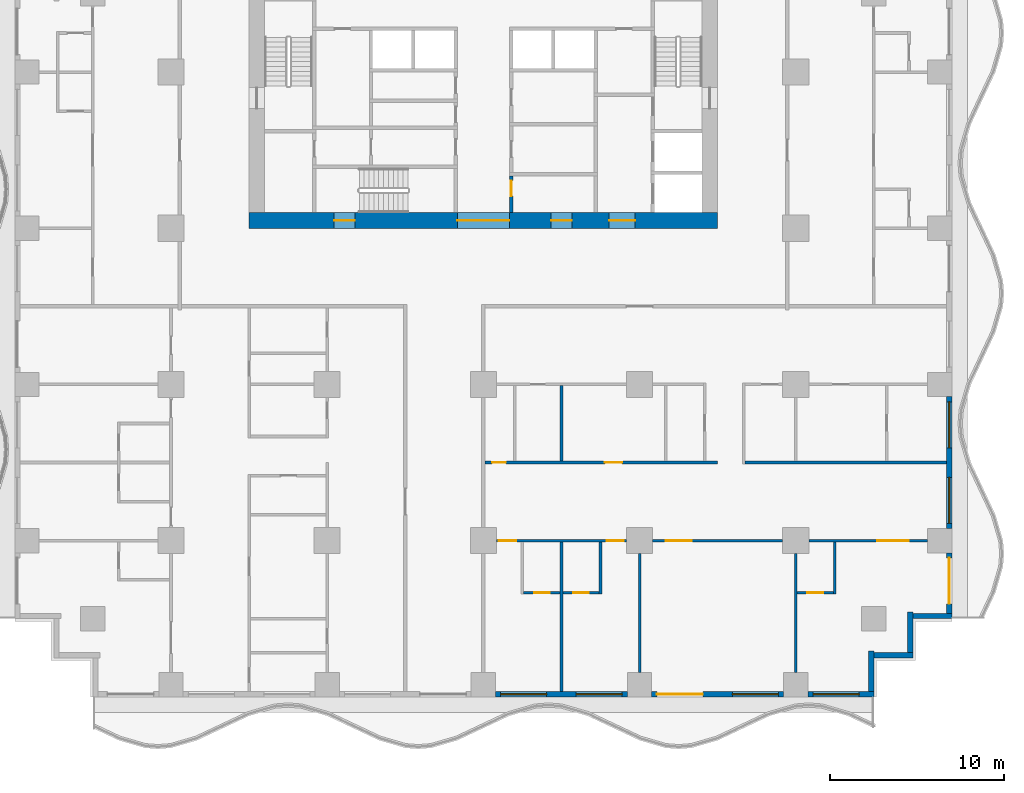
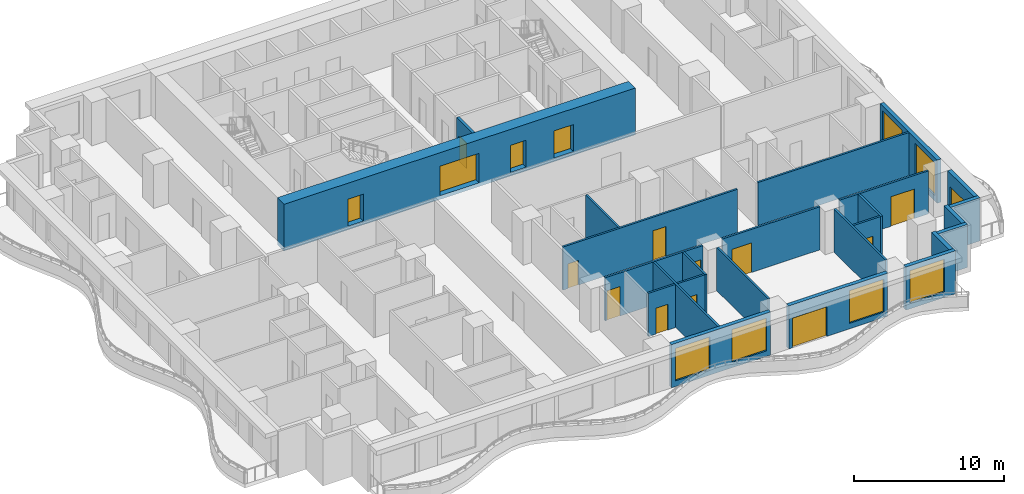
# One storey, part 3 of 14: 25 walls, 16 doors, 6 windows, 22 openings.
"""IFC4 building model written with IfcOpenShell, lengths in metres."""

from ifc_helpers import new_model, si_unit, direction, frame, frame_2d, origin, place, context, subcontext, project, spatial, rectangle, extrude, material, layer, layer_set, type_object, element, fill, save


model = new_model("IFC4")

# Units and contexts
model_context = context("Model", 3, precision=1e-05, world=origin(), true_north=direction((0.0, 1.0)))
body_context = subcontext(model_context, "Body", "Model", "MODEL_VIEW")
ifc_project = project(units=[si_unit("LENGTHUNIT", "METRE"), si_unit("AREAUNIT", "SQUARE_METRE"), si_unit("VOLUMEUNIT", "CUBIC_METRE"), si_unit("PLANEANGLEUNIT", "RADIAN"), si_unit("MASSUNIT", "GRAM", prefix="KILO")], contexts=[model_context])

# Site, building, storey
site_placement = place(None, origin())
site = spatial("IfcSite", under=ifc_project, at=site_placement, CompositionType="ELEMENT")
building_placement = place(site_placement, origin())
building = spatial("IfcBuilding", under=site, at=building_placement, Name="Orbiselva Terraces", CompositionType="ELEMENT")
storey_placement = place(building_placement, frame((0.0, 0.0, 45.4)))
storey = spatial("IfcBuildingStorey", under=building, at=storey_placement, Name="L11", CompositionType="ELEMENT", Elevation=45.4)

# Wall, openings, doors
ifc_material_1 = material(Name="Concrete C80/95", Category="concrete")
ifc_layer_1 = layer(ifc_material_1, 0.9)
ifc_layer_set_1 = layer_set([ifc_layer_1], Name="Concrete C80/95")
wall_type_1 = type_object("IfcWallType", Name="CORE WALL 900", PredefinedType="SHEAR", material=ifc_layer_set_1)
wall_1_placement = place(storey_placement, frame((-13.5, 4.95, -0.3), z_axis=(0.0, 0.0, 1.0), x_axis=(1.0, 0.0, 0.0)))
wall_1 = element("IfcWall", 1, at=wall_1_placement, inside=storey, type_object=wall_type_1, Name="Core wall L11 south", PredefinedType="SHEAR", context=body_context, shape_type="SweptSolid", body=[
    extrude(rectangle(XDim=27.0, YDim=0.9, at=frame_2d((13.5, 0.0))), origin(), (0.0, 0.0, 1.0), 3.8),
])
opening_1_placement = place(wall_1_placement, frame((12.0, 0.0, 0.3)))
opening_1 = element("IfcOpeningElement", 2, at=opening_1_placement, cuts=wall_1, Name="Opening DL3000", PredefinedType="OPENING", context=body_context, shape_type="SweptSolid", body=[
    extrude(rectangle(XDim=3.0, YDim=2.4, at=frame_2d((1.5, 1.2))), frame((0.0, 0.46, 0.0), z_axis=(0.0, -1.0, 0.0), x_axis=(1.0, 0.0, 0.0)), (0.0, 0.0, 1.0), 0.92),
])
opening_2_placement = place(wall_1_placement, frame((4.9, 0.0, 0.3)))
opening_2 = element("IfcOpeningElement", 3, at=opening_2_placement, cuts=wall_1, Name="Opening DS1200", PredefinedType="OPENING", context=body_context, shape_type="SweptSolid", body=[
    extrude(rectangle(XDim=1.2, YDim=2.2, at=frame_2d((0.6, 1.1))), frame((0.0, 0.46, 0.0), z_axis=(0.0, -1.0, 0.0), x_axis=(1.0, 0.0, 0.0)), (0.0, 0.0, 1.0), 0.92),
])
opening_3_placement = place(wall_1_placement, frame((20.75, 0.0, 0.3)))
opening_3 = element("IfcOpeningElement", 4, at=opening_3_placement, cuts=wall_1, Name="Opening DF1500", PredefinedType="OPENING", context=body_context, shape_type="SweptSolid", body=[
    extrude(rectangle(XDim=1.5, YDim=2.2, at=frame_2d((0.75, 1.1))), frame((0.0, 0.46, 0.0), z_axis=(0.0, -1.0, 0.0), x_axis=(1.0, 0.0, 0.0)), (0.0, 0.0, 1.0), 0.92),
])
opening_4_placement = place(wall_1_placement, frame((17.4, 0.0, 0.3)))
opening_4 = element("IfcOpeningElement", 5, at=opening_4_placement, cuts=wall_1, Name="Opening DV1200", PredefinedType="OPENING", context=body_context, shape_type="SweptSolid", body=[
    extrude(rectangle(XDim=1.2, YDim=2.2, at=frame_2d((0.6, 1.1))), frame((0.0, 0.46, 0.0), z_axis=(0.0, -1.0, 0.0), x_axis=(1.0, 0.0, 0.0)), (0.0, 0.0, 1.0), 0.92),
])
ifc_material_2 = material(Name="Steel fire door", Category="steel")
door_type_1 = type_object("IfcDoorType", Name="FFL DOOR 1500", OperationType="DOUBLE_DOOR_SINGLE_SWING", PredefinedType="DOOR", material=ifc_material_2)
door_1_placement = place(opening_3_placement, frame((1.5, 0.0, 0.0), z_axis=(0.0, 0.0, 1.0), x_axis=(-1.0, 0.0, 0.0)))
door_1 = element("IfcDoor", 6, at=door_1_placement, inside=storey, type_object=door_type_1, Name="L11 FIRE-FIGHTING LOBBY door", OperationType="DOUBLE_DOOR_SINGLE_SWING", OverallHeight=2.2, OverallWidth=1.5, PredefinedType="DOOR", context=body_context, shape_type="SweptSolid", body=[
    extrude(rectangle(XDim=1.5, YDim=2.2, at=frame_2d((0.75, 1.1))), frame((0.0, 0.025, 0.0), z_axis=(0.0, -1.0, 0.0), x_axis=(1.0, 0.0, 0.0)), (0.0, 0.0, 1.0), 0.05),
])
fill(opening_3, door_1)
door_type_2 = type_object("IfcDoorType", Name="LOBBY DOOR 3000", OperationType="DOUBLE_DOOR_SINGLE_SWING", PredefinedType="DOOR", material=ifc_material_2)
door_2_placement = place(opening_1_placement, frame((3.0, 0.0, 0.0), z_axis=(0.0, 0.0, 1.0), x_axis=(-1.0, 0.0, 0.0)))
door_2 = element("IfcDoor", 7, at=door_2_placement, inside=storey, type_object=door_type_2, Name="L11 LIFT LOBBY door", OperationType="DOUBLE_DOOR_SINGLE_SWING", OverallHeight=2.4, OverallWidth=3.0, PredefinedType="DOOR", context=body_context, shape_type="SweptSolid", body=[
    extrude(rectangle(XDim=3.0, YDim=2.4, at=frame_2d((1.5, 1.2))), frame((0.0, 0.025, 0.0), z_axis=(0.0, -1.0, 0.0), x_axis=(1.0, 0.0, 0.0)), (0.0, 0.0, 1.0), 0.05),
])
fill(opening_1, door_2)
door_type_3 = type_object("IfcDoorType", Name="SERVICE DOOR 1200", OperationType="NOTDEFINED", PredefinedType="DOOR", material=ifc_material_2)
door_3_placement = place(opening_4_placement, frame((1.2, 0.0, 0.0), z_axis=(0.0, 0.0, 1.0), x_axis=(-1.0, 0.0, 0.0)))
door_3 = element("IfcDoor", 8, at=door_3_placement, inside=storey, type_object=door_type_3, Name="L11 ELECTRICAL RISER ROOM door", OperationType="SINGLE_SWING_RIGHT", OverallHeight=2.2, OverallWidth=1.2, PredefinedType="DOOR", context=body_context, shape_type="SweptSolid", body=[
    extrude(rectangle(XDim=1.2, YDim=2.2, at=frame_2d((0.6, 1.1))), frame((0.0, 0.025, 0.0), z_axis=(0.0, -1.0, 0.0), x_axis=(1.0, 0.0, 0.0)), (0.0, 0.0, 1.0), 0.05),
])
fill(opening_4, door_3)
door_type_4 = type_object("IfcDoorType", Name="STAIR DOOR 1200", OperationType="NOTDEFINED", PredefinedType="DOOR", material=ifc_material_2)
door_4_placement = place(opening_2_placement, frame((1.2, 0.0, 0.0), z_axis=(0.0, 0.0, 1.0), x_axis=(-1.0, 0.0, 0.0)))
door_4 = element("IfcDoor", 9, at=door_4_placement, inside=storey, type_object=door_type_4, Name="L11 EXIT STAIR S3 door", OperationType="SINGLE_SWING_LEFT", OverallHeight=2.2, OverallWidth=1.2, PredefinedType="DOOR", context=body_context, shape_type="SweptSolid", body=[
    extrude(rectangle(XDim=1.2, YDim=2.2, at=frame_2d((0.6, 1.1))), frame((0.0, 0.025, 0.0), z_axis=(0.0, -1.0, 0.0), x_axis=(1.0, 0.0, 0.0)), (0.0, 0.0, 1.0), 0.05),
])
fill(opening_2, door_4)

# Wall, opening, door
ifc_material_3 = material(Name="Masonry blockwork", Category="masonry")
ifc_layer_2 = layer(ifc_material_3, 0.2)
ifc_layer_set_2 = layer_set([ifc_layer_2], Name="Masonry blockwork")
wall_type_2 = type_object("IfcWallType", Name="CORE-WALL-PARTITION-200", PredefinedType="PARTITIONING", material=ifc_layer_set_2)
wall_2_placement = place(storey_placement, frame((1.6, 7.5, 0.0), z_axis=(0.0, 0.0, 1.0), x_axis=(0.0, -1.0, 0.0)))
wall_2 = element("IfcWall", 10, at=wall_2_placement, inside=storey, type_object=wall_type_2, Name="L11 core wall 29", PredefinedType="PARTITIONING", context=body_context, shape_type="SweptSolid", body=[
    extrude(rectangle(XDim=2.1, YDim=0.2, at=frame_2d((1.05, 0.0))), origin(), (0.0, 0.0, 1.0), 3.5),
])
opening_5_placement = place(wall_2_placement, frame((0.25, 0.0, 0.0)))
opening_5 = element("IfcOpeningElement", 11, at=opening_5_placement, cuts=wall_2, Name="Opening DR900", PredefinedType="OPENING", context=body_context, shape_type="SweptSolid", body=[
    extrude(rectangle(XDim=0.9, YDim=2.1, at=frame_2d((0.45, 1.05))), frame((0.0, 0.11, 0.0), z_axis=(0.0, -1.0, 0.0), x_axis=(1.0, 0.0, 0.0)), (0.0, 0.0, 1.0), 0.22),
])
door_type_5 = type_object("IfcDoorType", Name="ROOM DOOR 900", OperationType="NOTDEFINED", PredefinedType="DOOR", material=ifc_material_2)
door_5_placement = place(opening_5_placement, origin())
door_5 = element("IfcDoor", 12, at=door_5_placement, inside=storey, type_object=door_type_5, Name="L11 ELECTRICAL RISER ROOM door", OperationType="SINGLE_SWING_LEFT", OverallHeight=2.1, OverallWidth=0.9, PredefinedType="DOOR", context=body_context, shape_type="SweptSolid", body=[
    extrude(rectangle(XDim=0.9, YDim=2.1, at=frame_2d((0.45, 1.05))), frame((0.0, 0.025, 0.0), z_axis=(0.0, -1.0, 0.0), x_axis=(1.0, 0.0, 0.0)), (0.0, 0.0, 1.0), 0.05),
])
fill(opening_5, door_5)

# Wall, openings, windows
ifc_material_4 = material(Name="Terracotta cladding on masonry backing", Category="masonry")
ifc_layer_3 = layer(ifc_material_4, 0.3)
ifc_layer_set_3 = layer_set([ifc_layer_3], Name="Terracotta cladding on masonry backing")
wall_type_3 = type_object("IfcWallType", Name="ENV-WALL-TERRACOTTA-300", PredefinedType="SOLIDWALL", material=ifc_layer_set_3)
wall_3_placement = place(storey_placement, frame((8.3, -22.35, 0.0), z_axis=(0.0, 0.0, 1.0), x_axis=(-1.0, 0.0, 0.0)))
wall_3 = element("IfcWall", 13, at=wall_3_placement, inside=storey, type_object=wall_type_3, Name="Facade wall L11 S", PredefinedType="SOLIDWALL", context=body_context, shape_type="SweptSolid", body=[
    extrude(rectangle(XDim=7.6, YDim=0.3, at=frame_2d((3.8, 0.0))), origin(), (0.0, 0.0, 1.0), 3.5),
])
opening_6_placement = place(wall_3_placement, frame((4.65, 0.0, 0.45)))
opening_6 = element("IfcOpeningElement", 14, at=opening_6_placement, cuts=wall_3, Name="Opening WN3", PredefinedType="OPENING", context=body_context, shape_type="SweptSolid", body=[
    extrude(rectangle(XDim=2.65, YDim=2.65, at=frame_2d((1.325, 1.325))), frame((0.0, 0.16, 0.0), z_axis=(0.0, -1.0, 0.0), x_axis=(1.0, 0.0, 0.0)), (0.0, 0.0, 1.0), 0.32),
])
opening_7_placement = place(wall_3_placement, frame((0.3, 0.0, 0.45)))
opening_7 = element("IfcOpeningElement", 15, at=opening_7_placement, cuts=wall_3, Name="Opening WN3", PredefinedType="OPENING", context=body_context, shape_type="SweptSolid", body=[
    extrude(rectangle(XDim=2.65, YDim=2.65, at=frame_2d((1.325, 1.325))), frame((0.0, 0.16, 0.0), z_axis=(0.0, -1.0, 0.0), x_axis=(1.0, 0.0, 0.0)), (0.0, 0.0, 1.0), 0.32),
])
ifc_material_5 = material(Name="Clear low-e glazing in aluminium frame", Category="aluminium")
window_type = type_object("IfcWindowType", Name="WINDOW 2650 X 2650 S450", PartitioningType="TRIPLE_PANEL_VERTICAL", PredefinedType="WINDOW", material=ifc_material_5)
window_1_placement = place(opening_6_placement, origin())
window_1 = element("IfcWindow", 16, at=window_1_placement, inside=storey, type_object=window_type, Name="Window L11 S", OverallHeight=2.65, OverallWidth=2.65, PartitioningType="SINGLE_PANEL", PredefinedType="WINDOW", context=body_context, shape_type="SweptSolid", body=[
    extrude(rectangle(XDim=2.65, YDim=2.65, at=frame_2d((1.325, 1.325))), frame((0.0, 0.03, 0.0), z_axis=(0.0, -1.0, 0.0), x_axis=(1.0, 0.0, 0.0)), (0.0, 0.0, 1.0), 0.06),
])
fill(opening_6, window_1)
window_2_placement = place(opening_7_placement, origin())
window_2 = element("IfcWindow", 17, at=window_2_placement, inside=storey, type_object=window_type, Name="Window L11 S", OverallHeight=2.65, OverallWidth=2.65, PartitioningType="SINGLE_PANEL", PredefinedType="WINDOW", context=body_context, shape_type="SweptSolid", body=[
    extrude(rectangle(XDim=2.65, YDim=2.65, at=frame_2d((1.325, 1.325))), frame((0.0, 0.03, 0.0), z_axis=(0.0, -1.0, 0.0), x_axis=(1.0, 0.0, 0.0)), (0.0, 0.0, 1.0), 0.06),
])
fill(opening_7, window_2)

# Wall, openings, door, window
wall_4_placement = place(storey_placement, frame((17.3, -22.35, 0.0), z_axis=(0.0, 0.0, 1.0), x_axis=(-1.0, 0.0, 0.0)))
wall_4 = element("IfcWall", 18, at=wall_4_placement, inside=storey, type_object=wall_type_3, Name="Facade wall L11 S", PredefinedType="SOLIDWALL", context=body_context, shape_type="SweptSolid", body=[
    extrude(rectangle(XDim=7.6, YDim=0.3, at=frame_2d((3.8, 0.0))), origin(), (0.0, 0.0, 1.0), 3.5),
])
opening_8_placement = place(wall_4_placement, frame((4.65, 0.0, 0.0)))
opening_8 = element("IfcOpeningElement", 19, at=opening_8_placement, cuts=wall_4, Name="Opening Z1-C-E15", PredefinedType="OPENING", context=body_context, shape_type="SweptSolid", body=[
    extrude(rectangle(XDim=2.65, YDim=2.4, at=frame_2d((1.325, 1.2))), frame((0.0, 0.16, 0.0), z_axis=(0.0, -1.0, 0.0), x_axis=(1.0, 0.0, 0.0)), (0.0, 0.0, 1.0), 0.32),
])
opening_9_placement = place(wall_4_placement, frame((0.3, 0.0, 0.45)))
opening_9 = element("IfcOpeningElement", 20, at=opening_9_placement, cuts=wall_4, Name="Opening WN3", PredefinedType="OPENING", context=body_context, shape_type="SweptSolid", body=[
    extrude(rectangle(XDim=2.65, YDim=2.65, at=frame_2d((1.325, 1.325))), frame((0.0, 0.16, 0.0), z_axis=(0.0, -1.0, 0.0), x_axis=(1.0, 0.0, 0.0)), (0.0, 0.0, 1.0), 0.32),
])
door_type_6 = type_object("IfcDoorType", Name="BALCONY DOOR 2650 X 2400", OperationType="DOUBLE_DOOR_SLIDING", PredefinedType="DOOR", material=ifc_material_5)
door_6_placement = place(opening_8_placement, origin())
door_6 = element("IfcDoor", 21, at=door_6_placement, inside=storey, type_object=door_type_6, Name="Z1-C-E15", OperationType="SINGLE_SWING_LEFT", OverallHeight=2.4, OverallWidth=2.65, PredefinedType="DOOR", context=body_context, shape_type="SweptSolid", body=[
    extrude(rectangle(XDim=2.65, YDim=2.4, at=frame_2d((1.325, 1.2))), frame((0.0, 0.025, 0.0), z_axis=(0.0, -1.0, 0.0), x_axis=(1.0, 0.0, 0.0)), (0.0, 0.0, 1.0), 0.05),
])
fill(opening_8, door_6)
window_3_placement = place(opening_9_placement, origin())
window_3 = element("IfcWindow", 22, at=window_3_placement, inside=storey, type_object=window_type, Name="Window L11 S", OverallHeight=2.65, OverallWidth=2.65, PartitioningType="SINGLE_PANEL", PredefinedType="WINDOW", context=body_context, shape_type="SweptSolid", body=[
    extrude(rectangle(XDim=2.65, YDim=2.65, at=frame_2d((1.325, 1.325))), frame((0.0, 0.03, 0.0), z_axis=(0.0, -1.0, 0.0), x_axis=(1.0, 0.0, 0.0)), (0.0, 0.0, 1.0), 0.06),
])
fill(opening_9, window_3)

# Wall, opening, window
wall_5_placement = place(storey_placement, frame((22.5, -22.35, 0.0), z_axis=(0.0, 0.0, 1.0), x_axis=(-1.0, 0.0, 0.0)))
wall_5 = element("IfcWall", 23, at=wall_5_placement, inside=storey, type_object=wall_type_3, Name="Facade wall L11 S", PredefinedType="SOLIDWALL", context=body_context, shape_type="SweptSolid", body=[
    extrude(rectangle(XDim=3.8, YDim=0.3, at=frame_2d((1.9, 0.0))), origin(), (0.0, 0.0, 1.0), 3.5),
])
opening_10_placement = place(wall_5_placement, frame((0.85, 0.0, 0.45)))
opening_10 = element("IfcOpeningElement", 24, at=opening_10_placement, cuts=wall_5, Name="Opening WN3", PredefinedType="OPENING", context=body_context, shape_type="SweptSolid", body=[
    extrude(rectangle(XDim=2.65, YDim=2.65, at=frame_2d((1.325, 1.325))), frame((0.0, 0.16, 0.0), z_axis=(0.0, -1.0, 0.0), x_axis=(1.0, 0.0, 0.0)), (0.0, 0.0, 1.0), 0.32),
])
window_4_placement = place(opening_10_placement, origin())
window_4 = element("IfcWindow", 25, at=window_4_placement, inside=storey, type_object=window_type, Name="Window L11 S", OverallHeight=2.65, OverallWidth=2.65, PartitioningType="SINGLE_PANEL", PredefinedType="WINDOW", context=body_context, shape_type="SweptSolid", body=[
    extrude(rectangle(XDim=2.65, YDim=2.65, at=frame_2d((1.325, 1.325))), frame((0.0, 0.03, 0.0), z_axis=(0.0, -1.0, 0.0), x_axis=(1.0, 0.0, 0.0)), (0.0, 0.0, 1.0), 0.06),
])
fill(opening_10, window_4)

# Walls
wall_6_placement = place(storey_placement, frame((22.35, -19.85, 0.0), z_axis=(0.0, 0.0, 1.0), x_axis=(0.0, -1.0, 0.0)))
element("IfcWall", 26, at=wall_6_placement, inside=storey, type_object=wall_type_3, Name="Facade wall L11 STEP", PredefinedType="SOLIDWALL", context=body_context, shape_type="SweptSolid", body=[
    extrude(rectangle(XDim=2.35, YDim=0.3, at=frame_2d((1.175, 0.0))), origin(), (0.0, 0.0, 1.0), 3.5),
])
wall_7_placement = place(storey_placement, frame((24.75, -20.1, 0.0), z_axis=(0.0, 0.0, 1.0), x_axis=(-1.0, 0.0, 0.0)))
element("IfcWall", 27, at=wall_7_placement, inside=storey, type_object=wall_type_3, Name="Facade wall L11 STEP", PredefinedType="SOLIDWALL", context=body_context, shape_type="SweptSolid", body=[
    extrude(rectangle(XDim=2.25, YDim=0.3, at=frame_2d((1.125, 0.0))), origin(), (0.0, 0.0, 1.0), 3.5),
])
wall_8_placement = place(storey_placement, frame((24.6, -17.6, 0.0), z_axis=(0.0, 0.0, 1.0), x_axis=(0.0, -1.0, 0.0)))
element("IfcWall", 28, at=wall_8_placement, inside=storey, type_object=wall_type_3, Name="Facade wall L11 STEP", PredefinedType="SOLIDWALL", context=body_context, shape_type="SweptSolid", body=[
    extrude(rectangle(XDim=2.35, YDim=0.3, at=frame_2d((1.175, 0.0))), origin(), (0.0, 0.0, 1.0), 3.5),
])
wall_9_placement = place(storey_placement, frame((27.0, -17.85, 0.0), z_axis=(0.0, 0.0, 1.0), x_axis=(-1.0, 0.0, 0.0)))
element("IfcWall", 29, at=wall_9_placement, inside=storey, type_object=wall_type_3, Name="Facade wall L11 STEP", PredefinedType="SOLIDWALL", context=body_context, shape_type="SweptSolid", body=[
    extrude(rectangle(XDim=2.25, YDim=0.3, at=frame_2d((1.125, 0.0))), origin(), (0.0, 0.0, 1.0), 3.5),
])

# Wall, opening, door
wall_10_placement = place(storey_placement, frame((26.85, -14.2, 0.0), z_axis=(0.0, 0.0, 1.0), x_axis=(0.0, -1.0, 0.0)))
wall_10 = element("IfcWall", 30, at=wall_10_placement, inside=storey, type_object=wall_type_3, Name="Facade wall L11 E", PredefinedType="SOLIDWALL", context=body_context, shape_type="SweptSolid", body=[
    extrude(rectangle(XDim=3.5, YDim=0.3, at=frame_2d((1.75, 0.0))), origin(), (0.0, 0.0, 1.0), 3.5),
])
opening_11_placement = place(wall_10_placement, frame((0.3, 0.0, 0.0)))
opening_11 = element("IfcOpeningElement", 31, at=opening_11_placement, cuts=wall_10, Name="Opening Z1-C-E26", PredefinedType="OPENING", context=body_context, shape_type="SweptSolid", body=[
    extrude(rectangle(XDim=2.65, YDim=2.4, at=frame_2d((1.325, 1.2))), frame((0.0, 0.16, 0.0), z_axis=(0.0, -1.0, 0.0), x_axis=(1.0, 0.0, 0.0)), (0.0, 0.0, 1.0), 0.32),
])
door_7_placement = place(opening_11_placement, origin())
door_7 = element("IfcDoor", 32, at=door_7_placement, inside=storey, type_object=door_type_6, Name="Z1-C-E26", OperationType="SINGLE_SWING_LEFT", OverallHeight=2.4, OverallWidth=2.65, PredefinedType="DOOR", context=body_context, shape_type="SweptSolid", body=[
    extrude(rectangle(XDim=2.65, YDim=2.4, at=frame_2d((1.325, 1.2))), frame((0.0, 0.025, 0.0), z_axis=(0.0, -1.0, 0.0), x_axis=(1.0, 0.0, 0.0)), (0.0, 0.0, 1.0), 0.05),
])
fill(opening_11, door_7)

# Wall, openings, windows
wall_11_placement = place(storey_placement, frame((26.85, -5.2, 0.0), z_axis=(0.0, 0.0, 1.0), x_axis=(0.0, -1.0, 0.0)))
wall_11 = element("IfcWall", 33, at=wall_11_placement, inside=storey, type_object=wall_type_3, Name="Facade wall L11 E", PredefinedType="SOLIDWALL", context=body_context, shape_type="SweptSolid", body=[
    extrude(rectangle(XDim=7.6, YDim=0.3, at=frame_2d((3.8, 0.0))), origin(), (0.0, 0.0, 1.0), 3.5),
])
opening_12_placement = place(wall_11_placement, frame((4.65, 0.0, 0.45)))
opening_12 = element("IfcOpeningElement", 34, at=opening_12_placement, cuts=wall_11, Name="Opening WN3", PredefinedType="OPENING", context=body_context, shape_type="SweptSolid", body=[
    extrude(rectangle(XDim=2.65, YDim=2.65, at=frame_2d((1.325, 1.325))), frame((0.0, 0.16, 0.0), z_axis=(0.0, -1.0, 0.0), x_axis=(1.0, 0.0, 0.0)), (0.0, 0.0, 1.0), 0.32),
])
opening_13_placement = place(wall_11_placement, frame((0.3, 0.0, 0.45)))
opening_13 = element("IfcOpeningElement", 35, at=opening_13_placement, cuts=wall_11, Name="Opening WN3", PredefinedType="OPENING", context=body_context, shape_type="SweptSolid", body=[
    extrude(rectangle(XDim=2.65, YDim=2.65, at=frame_2d((1.325, 1.325))), frame((0.0, 0.16, 0.0), z_axis=(0.0, -1.0, 0.0), x_axis=(1.0, 0.0, 0.0)), (0.0, 0.0, 1.0), 0.32),
])
window_5_placement = place(opening_12_placement, origin())
window_5 = element("IfcWindow", 36, at=window_5_placement, inside=storey, type_object=window_type, Name="Window L11 E", OverallHeight=2.65, OverallWidth=2.65, PartitioningType="SINGLE_PANEL", PredefinedType="WINDOW", context=body_context, shape_type="SweptSolid", body=[
    extrude(rectangle(XDim=2.65, YDim=2.65, at=frame_2d((1.325, 1.325))), frame((0.0, 0.03, 0.0), z_axis=(0.0, -1.0, 0.0), x_axis=(1.0, 0.0, 0.0)), (0.0, 0.0, 1.0), 0.06),
])
fill(opening_12, window_5)
window_6_placement = place(opening_13_placement, origin())
window_6 = element("IfcWindow", 37, at=window_6_placement, inside=storey, type_object=window_type, Name="Window L11 E", OverallHeight=2.65, OverallWidth=2.65, PartitioningType="SINGLE_PANEL", PredefinedType="WINDOW", context=body_context, shape_type="SweptSolid", body=[
    extrude(rectangle(XDim=2.65, YDim=2.65, at=frame_2d((1.325, 1.325))), frame((0.0, 0.03, 0.0), z_axis=(0.0, -1.0, 0.0), x_axis=(1.0, 0.0, 0.0)), (0.0, 0.0, 1.0), 0.06),
])
fill(opening_13, window_6)

# Wall, opening, door
ifc_material_6 = material(Name="Plasterboard on steel stud partition", Category="steel")
ifc_layer_4 = layer(ifc_material_6, 0.15)
ifc_layer_set_4 = layer_set([ifc_layer_4], Name="Plasterboard on steel stud partition")
wall_type_4 = type_object("IfcWallType", Name="UNIT-PARTITION-150", PredefinedType="PARTITIONING", material=ifc_layer_set_4)
wall_12_placement = place(storey_placement, frame((2.325, -16.5, 0.0), z_axis=(0.0, 0.0, 1.0), x_axis=(1.0, 0.0, 0.0)))
wall_12 = element("IfcWall", 38, at=wall_12_placement, inside=storey, type_object=wall_type_4, Name="PARTITION L11-003", PredefinedType="PARTITIONING", context=body_context, shape_type="SweptSolid", body=[
    extrude(rectangle(XDim=2.1, YDim=0.15, at=frame_2d((1.05, 0.0))), origin(), (0.0, 0.0, 1.0), 3.5),
])
opening_14_placement = place(wall_12_placement, frame((0.6, 0.0, 0.0)))
opening_14 = element("IfcOpeningElement", 39, at=opening_14_placement, cuts=wall_12, Name="Opening Z1-C-37", PredefinedType="OPENING", context=body_context, shape_type="SweptSolid", body=[
    extrude(rectangle(XDim=0.9, YDim=2.1, at=frame_2d((0.45, 1.05))), frame((0.0, 0.085, 0.0), z_axis=(0.0, -1.0, 0.0), x_axis=(1.0, 0.0, 0.0)), (0.0, 0.0, 1.0), 0.17),
])
ifc_material_7 = material(Name="Painted timber door leaf", Category="wood")
door_type_7 = type_object("IfcDoorType", Name="BATH DOOR 900", OperationType="NOTDEFINED", PredefinedType="DOOR", material=ifc_material_7)
door_8_placement = place(opening_14_placement, origin())
door_8 = element("IfcDoor", 40, at=door_8_placement, inside=storey, type_object=door_type_7, Name="Z1-C-37", OperationType="SINGLE_SWING_RIGHT", OverallHeight=2.1, OverallWidth=0.9, PredefinedType="DOOR", context=body_context, shape_type="SweptSolid", body=[
    extrude(rectangle(XDim=0.9, YDim=2.1, at=frame_2d((0.45, 1.05))), frame((0.0, 0.025, 0.0), z_axis=(0.0, -1.0, 0.0), x_axis=(1.0, 0.0, 0.0)), (0.0, 0.0, 1.0), 0.05),
])
fill(opening_14, door_8)

wall_13_placement = place(storey_placement, frame((4.575, -16.5, 0.0), z_axis=(0.0, 0.0, 1.0), x_axis=(1.0, 0.0, 0.0)))
wall_13 = element("IfcWall", 41, at=wall_13_placement, inside=storey, type_object=wall_type_4, Name="PARTITION L11-004", PredefinedType="PARTITIONING", context=body_context, shape_type="SweptSolid", body=[
    extrude(rectangle(XDim=2.1, YDim=0.15, at=frame_2d((1.05, 0.0))), origin(), (0.0, 0.0, 1.0), 3.5),
])
opening_15_placement = place(wall_13_placement, frame((0.6, 0.0, 0.0)))
opening_15 = element("IfcOpeningElement", 42, at=opening_15_placement, cuts=wall_13, Name="Opening Z1-C-39", PredefinedType="OPENING", context=body_context, shape_type="SweptSolid", body=[
    extrude(rectangle(XDim=0.9, YDim=2.1, at=frame_2d((0.45, 1.05))), frame((0.0, 0.085, 0.0), z_axis=(0.0, -1.0, 0.0), x_axis=(1.0, 0.0, 0.0)), (0.0, 0.0, 1.0), 0.17),
])
door_9_placement = place(opening_15_placement, origin())
door_9 = element("IfcDoor", 43, at=door_9_placement, inside=storey, type_object=door_type_7, Name="Z1-C-39", OperationType="SINGLE_SWING_LEFT", OverallHeight=2.1, OverallWidth=0.9, PredefinedType="DOOR", context=body_context, shape_type="SweptSolid", body=[
    extrude(rectangle(XDim=0.9, YDim=2.1, at=frame_2d((0.45, 1.05))), frame((0.0, 0.025, 0.0), z_axis=(0.0, -1.0, 0.0), x_axis=(1.0, 0.0, 0.0)), (0.0, 0.0, 1.0), 0.05),
])
fill(opening_15, door_9)

wall_14_placement = place(storey_placement, frame((18.075, -16.5, 0.0), z_axis=(0.0, 0.0, 1.0), x_axis=(1.0, 0.0, 0.0)))
wall_14 = element("IfcWall", 44, at=wall_14_placement, inside=storey, type_object=wall_type_4, Name="PARTITION L11-005", PredefinedType="PARTITIONING", context=body_context, shape_type="SweptSolid", body=[
    extrude(rectangle(XDim=2.1, YDim=0.15, at=frame_2d((1.05, 0.0))), origin(), (0.0, 0.0, 1.0), 3.5),
])
opening_16_placement = place(wall_14_placement, frame((0.6, 0.0, 0.0)))
opening_16 = element("IfcOpeningElement", 45, at=opening_16_placement, cuts=wall_14, Name="Opening Z1-C-42", PredefinedType="OPENING", context=body_context, shape_type="SweptSolid", body=[
    extrude(rectangle(XDim=0.9, YDim=2.1, at=frame_2d((0.45, 1.05))), frame((0.0, 0.085, 0.0), z_axis=(0.0, -1.0, 0.0), x_axis=(1.0, 0.0, 0.0)), (0.0, 0.0, 1.0), 0.17),
])
door_10_placement = place(opening_16_placement, origin())
door_10 = element("IfcDoor", 46, at=door_10_placement, inside=storey, type_object=door_type_7, Name="Z1-C-42", OperationType="SINGLE_SWING_LEFT", OverallHeight=2.1, OverallWidth=0.9, PredefinedType="DOOR", context=body_context, shape_type="SweptSolid", body=[
    extrude(rectangle(XDim=0.9, YDim=2.1, at=frame_2d((0.45, 1.05))), frame((0.0, 0.025, 0.0), z_axis=(0.0, -1.0, 0.0), x_axis=(1.0, 0.0, 0.0)), (0.0, 0.0, 1.0), 0.05),
])
fill(opening_16, door_10)

# Wall, openings, doors
wall_15_placement = place(storey_placement, frame((8.25, -13.5, 0.0), z_axis=(0.0, 0.0, 1.0), x_axis=(-1.0, 0.0, 0.0)))
wall_15 = element("IfcWall", 47, at=wall_15_placement, inside=storey, type_object=wall_type_4, Name="PARTITION L11-008", PredefinedType="PARTITIONING", context=body_context, shape_type="SweptSolid", body=[
    extrude(rectangle(XDim=7.5, YDim=0.15, at=frame_2d((3.75, 0.0))), origin(), (0.0, 0.0, 1.0), 3.5),
])
opening_17_placement = place(wall_15_placement, frame((6.35, 0.0, 0.0)))
opening_17 = element("IfcOpeningElement", 48, at=opening_17_placement, cuts=wall_15, Name="Opening Z1-C-36", PredefinedType="OPENING", context=body_context, shape_type="SweptSolid", body=[
    extrude(rectangle(XDim=1.0, YDim=2.4, at=frame_2d((0.5, 1.2))), frame((0.0, 0.085, 0.0), z_axis=(0.0, -1.0, 0.0), x_axis=(1.0, 0.0, 0.0)), (0.0, 0.0, 1.0), 0.17),
])
opening_18_placement = place(wall_15_placement, frame((0.15, 0.0, 0.0)))
opening_18 = element("IfcOpeningElement", 49, at=opening_18_placement, cuts=wall_15, Name="Opening Z1-C-38", PredefinedType="OPENING", context=body_context, shape_type="SweptSolid", body=[
    extrude(rectangle(XDim=1.0, YDim=2.4, at=frame_2d((0.5, 1.2))), frame((0.0, 0.085, 0.0), z_axis=(0.0, -1.0, 0.0), x_axis=(1.0, 0.0, 0.0)), (0.0, 0.0, 1.0), 0.17),
])
door_type_8 = type_object("IfcDoorType", Name="ROOM DOOR 1000", OperationType="NOTDEFINED", PredefinedType="DOOR", material=ifc_material_7)
door_11_placement = place(opening_17_placement, origin())
door_11 = element("IfcDoor", 50, at=door_11_placement, inside=storey, type_object=door_type_8, Name="Z1-C-36", OperationType="SINGLE_SWING_RIGHT", OverallHeight=2.4, OverallWidth=1.0, PredefinedType="DOOR", context=body_context, shape_type="SweptSolid", body=[
    extrude(rectangle(XDim=1.0, YDim=2.4, at=frame_2d((0.5, 1.2))), frame((0.0, 0.025, 0.0), z_axis=(0.0, -1.0, 0.0), x_axis=(1.0, 0.0, 0.0)), (0.0, 0.0, 1.0), 0.05),
])
fill(opening_17, door_11)
door_12_placement = place(opening_18_placement, origin())
door_12 = element("IfcDoor", 51, at=door_12_placement, inside=storey, type_object=door_type_8, Name="Z1-C-38", OperationType="SINGLE_SWING_LEFT", OverallHeight=2.4, OverallWidth=1.0, PredefinedType="DOOR", context=body_context, shape_type="SweptSolid", body=[
    extrude(rectangle(XDim=1.0, YDim=2.4, at=frame_2d((0.5, 1.2))), frame((0.0, 0.025, 0.0), z_axis=(0.0, -1.0, 0.0), x_axis=(1.0, 0.0, 0.0)), (0.0, 0.0, 1.0), 0.05),
])
fill(opening_18, door_12)

# Wall, opening, door
wall_16_placement = place(storey_placement, frame((17.25, -13.5, 0.0), z_axis=(0.0, 0.0, 1.0), x_axis=(-1.0, 0.0, 0.0)))
wall_16 = element("IfcWall", 52, at=wall_16_placement, inside=storey, type_object=wall_type_4, Name="PARTITION L11-009", PredefinedType="PARTITIONING", context=body_context, shape_type="SweptSolid", body=[
    extrude(rectangle(XDim=7.5, YDim=0.15, at=frame_2d((3.75, 0.0))), origin(), (0.0, 0.0, 1.0), 3.5),
])
opening_19_placement = place(wall_16_placement, frame((5.25, 0.0, 0.0)))
opening_19 = element("IfcOpeningElement", 53, at=opening_19_placement, cuts=wall_16, Name="Opening Z1-C-40", PredefinedType="OPENING", context=body_context, shape_type="SweptSolid", body=[
    extrude(rectangle(XDim=1.5, YDim=2.4, at=frame_2d((0.75, 1.2))), frame((0.0, 0.085, 0.0), z_axis=(0.0, -1.0, 0.0), x_axis=(1.0, 0.0, 0.0)), (0.0, 0.0, 1.0), 0.17),
])
door_type_9 = type_object("IfcDoorType", Name="DOUBLE DOOR 1500", OperationType="NOTDEFINED", PredefinedType="DOOR", material=ifc_material_7)
door_13_placement = place(opening_19_placement, origin())
door_13 = element("IfcDoor", 54, at=door_13_placement, inside=storey, type_object=door_type_9, Name="Z1-C-40", OperationType="DOUBLE_DOOR_SINGLE_SWING", OverallHeight=2.4, OverallWidth=1.5, PredefinedType="DOOR", context=body_context, shape_type="SweptSolid", body=[
    extrude(rectangle(XDim=1.5, YDim=2.4, at=frame_2d((0.75, 1.2))), frame((0.0, 0.025, 0.0), z_axis=(0.0, -1.0, 0.0), x_axis=(1.0, 0.0, 0.0)), (0.0, 0.0, 1.0), 0.05),
])
fill(opening_19, door_13)

wall_17_placement = place(storey_placement, frame((25.6, -13.5, 0.0), z_axis=(0.0, 0.0, 1.0), x_axis=(-1.0, 0.0, 0.0)))
wall_17 = element("IfcWall", 55, at=wall_17_placement, inside=storey, type_object=wall_type_4, Name="PARTITION L11-010", PredefinedType="PARTITIONING", context=body_context, shape_type="SweptSolid", body=[
    extrude(rectangle(XDim=6.85, YDim=0.15, at=frame_2d((3.425, 0.0))), origin(), (0.0, 0.0, 1.0), 3.5),
])
opening_20_placement = place(wall_17_placement, frame((1.1, 0.0, 0.0)))
opening_20 = element("IfcOpeningElement", 56, at=opening_20_placement, cuts=wall_17, Name="Opening Z1-C-41", PredefinedType="OPENING", context=body_context, shape_type="SweptSolid", body=[
    extrude(rectangle(XDim=1.8, YDim=2.4, at=frame_2d((0.9, 1.2))), frame((0.0, 0.085, 0.0), z_axis=(0.0, -1.0, 0.0), x_axis=(1.0, 0.0, 0.0)), (0.0, 0.0, 1.0), 0.17),
])
door_type_10 = type_object("IfcDoorType", Name="DOUBLE DOOR 1800", OperationType="NOTDEFINED", PredefinedType="DOOR", material=ifc_material_7)
door_14_placement = place(opening_20_placement, origin())
door_14 = element("IfcDoor", 57, at=door_14_placement, inside=storey, type_object=door_type_10, Name="Z1-C-41", OperationType="DOUBLE_DOOR_SINGLE_SWING", OverallHeight=2.4, OverallWidth=1.8, PredefinedType="DOOR", context=body_context, shape_type="SweptSolid", body=[
    extrude(rectangle(XDim=1.8, YDim=2.4, at=frame_2d((0.9, 1.2))), frame((0.0, 0.025, 0.0), z_axis=(0.0, -1.0, 0.0), x_axis=(1.0, 0.0, 0.0)), (0.0, 0.0, 1.0), 0.05),
])
fill(opening_20, door_14)

# Wall, openings, doors
wall_18_placement = place(storey_placement, frame((0.1, -9.0, 0.0), z_axis=(0.0, 0.0, 1.0), x_axis=(1.0, 0.0, 0.0)))
wall_18 = element("IfcWall", 58, at=wall_18_placement, inside=storey, type_object=wall_type_4, Name="PARTITION L11-016", PredefinedType="PARTITIONING", context=body_context, shape_type="SweptSolid", body=[
    extrude(rectangle(XDim=13.4, YDim=0.15, at=frame_2d((6.7, 0.0))), origin(), (0.0, 0.0, 1.0), 3.5),
])
opening_21_placement = place(wall_18_placement, frame((0.4, 0.0, 0.0)))
opening_21 = element("IfcOpeningElement", 59, at=opening_21_placement, cuts=wall_18, Name="Opening Z1-C-29", PredefinedType="OPENING", context=body_context, shape_type="SweptSolid", body=[
    extrude(rectangle(XDim=0.8, YDim=2.0, at=frame_2d((0.4, 1.0))), frame((0.0, 0.085, 0.0), z_axis=(0.0, -1.0, 0.0), x_axis=(1.0, 0.0, 0.0)), (0.0, 0.0, 1.0), 0.17),
])
opening_22_placement = place(wall_18_placement, frame((6.9, 0.0, 0.0)))
opening_22 = element("IfcOpeningElement", 60, at=opening_22_placement, cuts=wall_18, Name="Opening Z1-C-31", PredefinedType="OPENING", context=body_context, shape_type="SweptSolid", body=[
    extrude(rectangle(XDim=1.0, YDim=2.4, at=frame_2d((0.5, 1.2))), frame((0.0, 0.085, 0.0), z_axis=(0.0, -1.0, 0.0), x_axis=(1.0, 0.0, 0.0)), (0.0, 0.0, 1.0), 0.17),
])
door_15_placement = place(opening_22_placement, origin())
door_15 = element("IfcDoor", 61, at=door_15_placement, inside=storey, type_object=door_type_8, Name="Z1-C-31", OperationType="SINGLE_SWING_RIGHT", OverallHeight=2.4, OverallWidth=1.0, PredefinedType="DOOR", context=body_context, shape_type="SweptSolid", body=[
    extrude(rectangle(XDim=1.0, YDim=2.4, at=frame_2d((0.5, 1.2))), frame((0.0, 0.025, 0.0), z_axis=(0.0, -1.0, 0.0), x_axis=(1.0, 0.0, 0.0)), (0.0, 0.0, 1.0), 0.05),
])
fill(opening_22, door_15)
door_type_11 = type_object("IfcDoorType", Name="STORE DOOR 800", OperationType="NOTDEFINED", PredefinedType="DOOR", material=ifc_material_7)
door_16_placement = place(opening_21_placement, origin())
door_16 = element("IfcDoor", 62, at=door_16_placement, inside=storey, type_object=door_type_11, Name="Z1-C-29", OperationType="SINGLE_SWING_LEFT", OverallHeight=2.0, OverallWidth=0.8, PredefinedType="DOOR", context=body_context, shape_type="SweptSolid", body=[
    extrude(rectangle(XDim=0.8, YDim=2.0, at=frame_2d((0.4, 1.0))), frame((0.0, 0.025, 0.0), z_axis=(0.0, -1.0, 0.0), x_axis=(1.0, 0.0, 0.0)), (0.0, 0.0, 1.0), 0.05),
])
fill(opening_21, door_16)

# Walls
wall_19_placement = place(storey_placement, frame((15.075, -9.0, 0.0), z_axis=(0.0, 0.0, 1.0), x_axis=(1.0, 0.0, 0.0)))
element("IfcWall", 63, at=wall_19_placement, inside=storey, type_object=wall_type_4, Name="PARTITION L11-017", PredefinedType="PARTITIONING", context=body_context, shape_type="SweptSolid", body=[
    extrude(rectangle(XDim=11.625, YDim=0.15, at=frame_2d((5.8125, 0.0))), origin(), (0.0, 0.0, 1.0), 3.5),
])
wall_20_placement = place(storey_placement, frame((4.5, -22.2, 0.0), z_axis=(0.0, 0.0, 1.0), x_axis=(0.0, 1.0, 0.0)))
element("IfcWall", 64, at=wall_20_placement, inside=storey, type_object=wall_type_4, Name="PARTITION L11-063", PredefinedType="PARTITIONING", context=body_context, shape_type="SweptSolid", body=[
    extrude(rectangle(XDim=8.625, YDim=0.15, at=frame_2d((4.3125, 0.0))), origin(), (0.0, 0.0, 1.0), 3.5),
])
wall_21_placement = place(storey_placement, frame((4.5, -8.925, 0.0), z_axis=(0.0, 0.0, 1.0), x_axis=(0.0, 1.0, 0.0)))
element("IfcWall", 65, at=wall_21_placement, inside=storey, type_object=wall_type_4, Name="PARTITION L11-064", PredefinedType="PARTITIONING", context=body_context, shape_type="SweptSolid", body=[
    extrude(rectangle(XDim=4.35, YDim=0.15, at=frame_2d((2.175, 0.0))), origin(), (0.0, 0.0, 1.0), 3.5),
])
wall_22_placement = place(storey_placement, frame((6.75, -16.575, 0.0), z_axis=(0.0, 0.0, 1.0), x_axis=(0.0, 1.0, 0.0)))
element("IfcWall", 66, at=wall_22_placement, inside=storey, type_object=wall_type_4, Name="PARTITION L11-065", PredefinedType="PARTITIONING", context=body_context, shape_type="SweptSolid", body=[
    extrude(rectangle(XDim=3.0, YDim=0.15, at=frame_2d((1.5, 0.0))), origin(), (0.0, 0.0, 1.0), 3.5),
])
for number, where, z_axis, x_axis, name in (
    (67, (9.0, -21.1, 0.0), (0.0, 0.0, 1.0), (0.0, 1.0, 0.0), "PARTITION L11-066"),
    (68, (18.0, -21.1, 0.0), (0.0, 0.0, 1.0), (0.0, 1.0, 0.0), "PARTITION L11-073"),
):
    element("IfcWall", number, at=place(storey_placement, frame(where, z_axis=z_axis, x_axis=x_axis)), inside=storey, type_object=wall_type_4, Name=name, PredefinedType="PARTITIONING", context=body_context, shape_type="SweptSolid", body=[
        extrude(rectangle(XDim=6.85, YDim=0.15, at=frame_2d((3.425, 0.0))), origin(), (0.0, 0.0, 1.0), 3.5),
    ])
wall_23_placement = place(storey_placement, frame((20.25, -16.575, 0.0), z_axis=(0.0, 0.0, 1.0), x_axis=(0.0, 1.0, 0.0)))
element("IfcWall", 69, at=wall_23_placement, inside=storey, type_object=wall_type_4, Name="PARTITION L11-075", PredefinedType="PARTITIONING", context=body_context, shape_type="SweptSolid", body=[
    extrude(rectangle(XDim=3.0, YDim=0.15, at=frame_2d((1.5, 0.0))), origin(), (0.0, 0.0, 1.0), 3.5),
])

save(model, "model.ifc")
